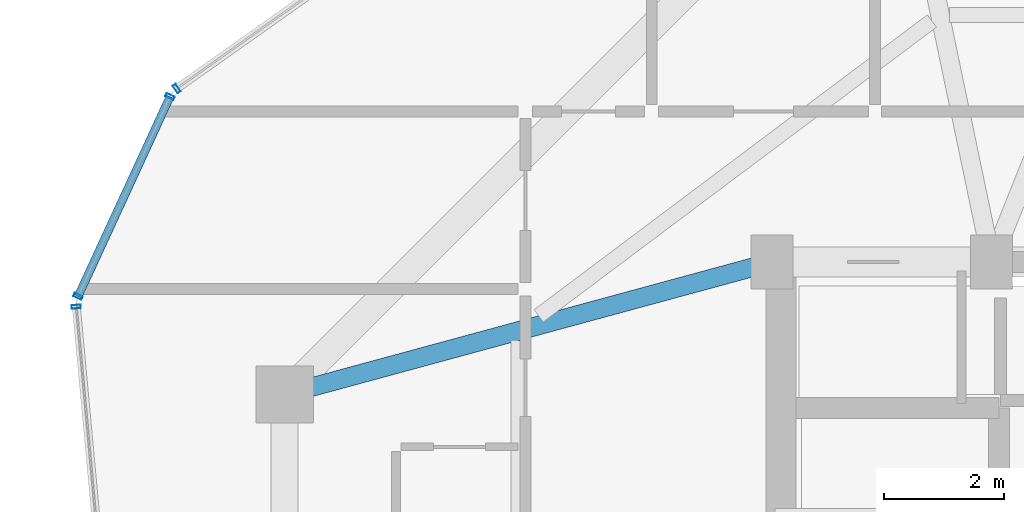
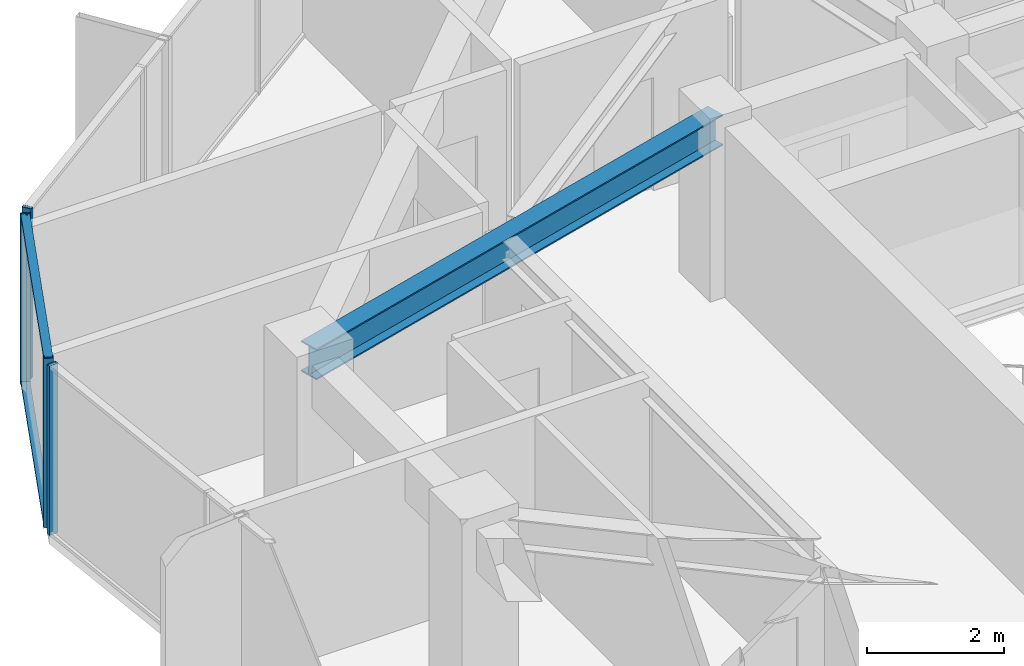
# One storey, part 14 of 32: 6 members, 1 beam, 3 elements without a shape of their own.
"""IFC4 building model written with IfcOpenShell, lengths in metres."""

from ifc_helpers import new_model, si_unit, direction, frame, origin, origin_2d, place, context, subcontext, project, spatial, hollow_rectangle, i_section, extrude, source, transform, mapped, material, layer, layer_set, material_profile, profile_set, type_object, element, aggregate, save


model = new_model("IFC4")

# Units and contexts
model_context = context("Model", 3, precision=1e-05, world=origin(), true_north=direction((0.0, 1.0)))
body_context = subcontext(model_context, "Body", "Model", "MODEL_VIEW")
ifc_project = project(units=[si_unit("LENGTHUNIT", "METRE"), si_unit("AREAUNIT", "SQUARE_METRE"), si_unit("VOLUMEUNIT", "CUBIC_METRE"), si_unit("PLANEANGLEUNIT", "RADIAN"), si_unit("MASSUNIT", "GRAM", prefix="KILO")], contexts=[model_context])

# Site, building, storey
site_placement = place(None, origin())
site = spatial("IfcSite", under=ifc_project, at=site_placement, CompositionType="ELEMENT")
building_placement = place(site_placement, origin())
building = spatial("IfcBuilding", under=site, at=building_placement, Name="Veraguas Prism Commons", CompositionType="ELEMENT")
storey_placement = place(building_placement, frame((0.0, 0.0, 188.60009765625)))
storey = spatial("IfcBuildingStorey", under=building, at=storey_placement, Name="L53", CompositionType="ELEMENT", Elevation=188.60009765625)

# Beam
ifc_material_1 = material(Name="Steel ASTM A992 Grade 50", Category="steel")
ifc_material_profile_1 = material_profile(ifc_material_1, i_section(OverallWidth=0.31103515625, OverallDepth=0.5458984375, WebThickness=0.0146484375, FlangeThickness=0.023681640625, at=origin_2d()), Name="W530X165")
ifc_profile_set_1 = profile_set([ifc_material_profile_1], Name="Steel ASTM A992 Grade 50")
beam_type = type_object("IfcBeamType", Name="Zone 3 Radial Girder W530x165", PredefinedType="BEAM", material=ifc_profile_set_1)
beam_placement = place(storey_placement, frame((9.10009765625, 28.800048828125, 2.741943359375), z_axis=(0.965038506703, 0.262108146725, 0.0), x_axis=(-0.262108146725, 0.965038506703, 0.0)))
element("IfcBeam", 1, at=beam_placement, inside=storey, type_object=beam_type, Name="Radial Floor Girder L53-RD07", PredefinedType="BEAM", context=body_context, shape_type="SweptSolid", body=[
    extrude(i_section(OverallWidth=0.31103515625, OverallDepth=0.5458984375, WebThickness=0.0146484375, FlangeThickness=0.023681640625, at=origin_2d()), origin(), (0.0, 0.0, 1.0), 8.393310546875),
])

# Curtain wall, member
ifc_material_2 = material(Name="Anodised aluminium EN AW-6063 T6", Category="aluminium")
ifc_layer = layer(ifc_material_2, 0.14990234375, Name="Unitised Flush Curtain Wall Zone 3", Category="aluminium")
ifc_layer_set = layer_set([ifc_layer], Name="Anodised aluminium EN AW-6063 T6")
curtain_wall_type = type_object("IfcCurtainWallType", Name="Unitised Flush Curtain Wall Zone 3", PredefinedType="NOTDEFINED", material=ifc_layer_set)
curtain_wall_1_placement = place(storey_placement, origin())
curtain_wall_1 = element("IfcCurtainWall", 2, at=curtain_wall_1_placement, inside=storey, type_object=curtain_wall_type, Name="Tower Facade Curtain Wall L53-F2", PredefinedType="NOTDEFINED")
ifc_material_profile_2 = material_profile(ifc_material_2, hollow_rectangle(XDim=0.06005859375, YDim=0.14990234375, WallThickness=0.0029296875, at=origin_2d()), Name="AL60X150X3")
ifc_profile_set_2 = profile_set([ifc_material_profile_2], Name="Anodised aluminium EN AW-6063 T6")
member_type_1 = type_object("IfcMemberType", Name="Curtain Wall Mullion Upper AL 60x150x3", PredefinedType="MULLION", material=ifc_profile_set_2)
shared_shape_1 = source(origin(), body_context, "Body", "SweptSolid", [
    extrude(hollow_rectangle(XDim=0.06005859375, YDim=0.14990234375, WallThickness=0.0029296875, at=origin_2d()), origin(), (0.0, 0.0, 1.0), 3.014892578125),
])
member_1_placement = place(storey_placement, frame((7.3046875, 33.882568359375, 0.0), z_axis=(0.0, 0.0, 1.0), x_axis=(-0.816341266821, -0.577569853857, 0.0)))
member_1 = element("IfcMember", 3, at=member_1_placement, type_object=member_type_1, Name="CW-Z3 Mullion 5", PredefinedType="MULLION", context=body_context, shape_type="MappedRepresentation", body=[
    mapped(shared_shape_1, transform((0.0, 0.0, 0.0), scale=1.0)),
])
aggregate(curtain_wall_1, [member_1])

curtain_wall_2_placement = place(storey_placement, origin())
curtain_wall_2 = element("IfcCurtainWall", 4, at=curtain_wall_2_placement, inside=storey, type_object=curtain_wall_type, Name="Tower Facade Curtain Wall L53-F3", PredefinedType="NOTDEFINED")
member_2_placement = place(storey_placement, frame((5.635986328125, 30.2578125, 0.0), z_axis=(0.0, 0.0, 1.0), x_axis=(0.092023008338, -0.995756880939, 0.0)))
member_2 = element("IfcMember", 5, at=member_2_placement, type_object=member_type_1, Name="CW-Z3 Mullion 1", PredefinedType="MULLION", context=body_context, shape_type="MappedRepresentation", body=[
    mapped(shared_shape_1, transform((0.0, 0.0, 0.0), scale=1.0)),
])
aggregate(curtain_wall_2, [member_2])

# Curtain wall, members
curtain_wall_3_placement = place(storey_placement, origin())
curtain_wall_3 = element("IfcCurtainWall", 6, at=curtain_wall_3_placement, inside=storey, type_object=curtain_wall_type, Name="Chamfer Curtain Wall L53-C3", PredefinedType="NOTDEFINED")
member_3_placement = place(storey_placement, frame((7.193603515625, 33.748779296875, 0.0), z_axis=(0.0, 0.0, 1.0), x_axis=(-0.418185762907, -0.908361529184, 0.0)))
member_3 = element("IfcMember", 7, at=member_3_placement, type_object=member_type_1, Name="CW-Z3 Mullion 1", PredefinedType="MULLION", context=body_context, shape_type="MappedRepresentation", body=[
    mapped(shared_shape_1, transform((0.0, 0.0, 0.0), scale=1.0)),
])
member_4_placement = place(storey_placement, frame((5.665283203125, 30.42919921875, 0.0), z_axis=(0.0, 0.0, 1.0), x_axis=(-0.418185762907, -0.908361529184, 0.0)))
member_4 = element("IfcMember", 8, at=member_4_placement, type_object=member_type_1, Name="CW-Z3 Mullion 2", PredefinedType="MULLION", context=body_context, shape_type="MappedRepresentation", body=[
    mapped(shared_shape_1, transform((0.0, 0.0, 0.0), scale=1.0)),
])
ifc_material_profile_3 = material_profile(ifc_material_2, hollow_rectangle(XDim=0.054931640625, YDim=0.135009765625, WallThickness=0.0029296875, at=origin_2d()), Name="AL55X135X3")
ifc_profile_set_3 = profile_set([ifc_material_profile_3], Name="Anodised aluminium EN AW-6063 T6")
member_type_2 = type_object("IfcMemberType", Name="Curtain Wall Transom Standard AL 55x135x3", PredefinedType="USERDEFINED", material=ifc_profile_set_3)
shared_shape_2 = source(origin(), body_context, "Body", "SweptSolid", [
    extrude(hollow_rectangle(XDim=0.054931640625, YDim=0.135009765625, WallThickness=0.0029296875, at=origin_2d()), origin(), (0.0, 0.0, 1.0), 3.654541015625),
])
member_5_placement = place(storey_placement, frame((7.193603515625, 33.748779296875, 0.02734375), z_axis=(-0.41820222958, -0.90835394818, 0.0), x_axis=(0.0, 0.0, 1.0)))
member_5 = element("IfcMember", 9, at=member_5_placement, type_object=member_type_2, Name="CW-Z3 Transom 1", ObjectType="TRANSOM", PredefinedType="USERDEFINED", context=body_context, shape_type="MappedRepresentation", body=[
    mapped(shared_shape_2, transform((0.0, 0.0, 0.0), scale=1.0)),
])
member_6_placement = place(storey_placement, frame((7.193603515625, 33.748779296875, 2.9873046875), z_axis=(-0.41820222958, -0.90835394818, 0.0), x_axis=(0.0, 0.0, 1.0)))
member_6 = element("IfcMember", 10, at=member_6_placement, type_object=member_type_2, Name="CW-Z3 Transom 2", ObjectType="TRANSOM", PredefinedType="USERDEFINED", context=body_context, shape_type="MappedRepresentation", body=[
    mapped(shared_shape_2, transform((0.0, 0.0, 0.0), scale=1.0)),
])
aggregate(curtain_wall_3, [member_3, member_4, member_5, member_6])

save(model, "model.ifc")
